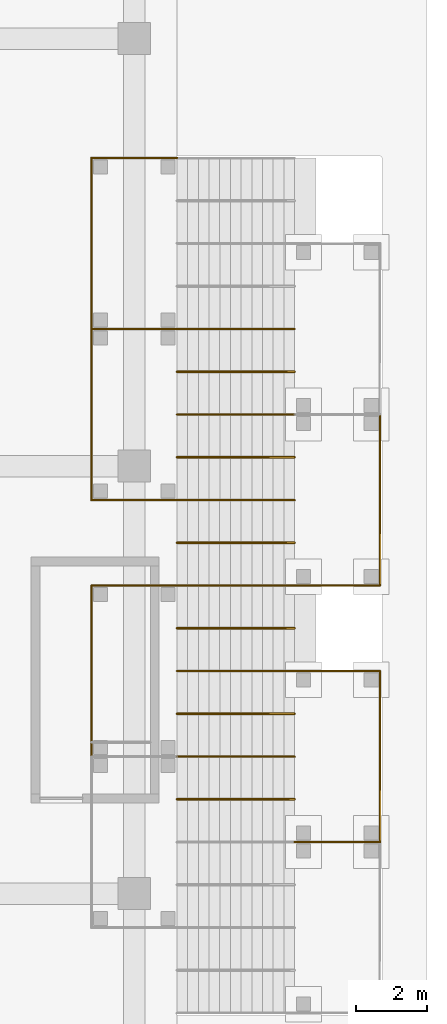
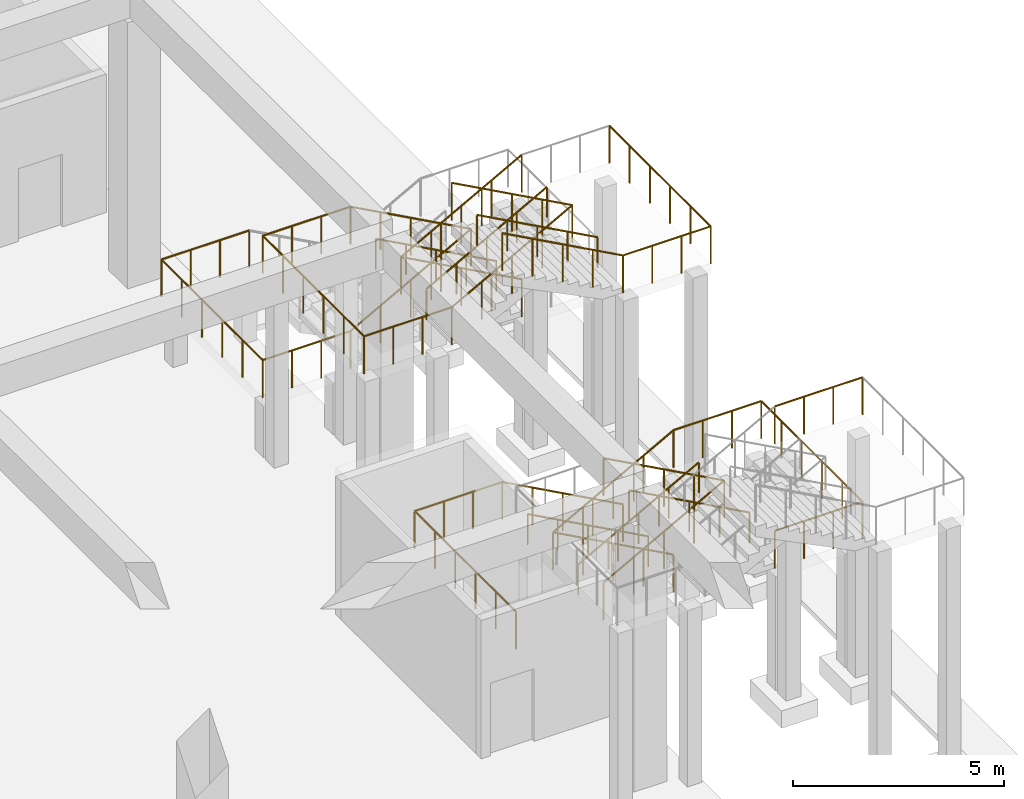
# One storey, part 35 of 43: 32 railings.
"""IFC4 building model written with IfcOpenShell, lengths in metres."""

from ifc_helpers import new_model, si_unit, direction, frame, origin, origin_2d, place, context, subcontext, project, spatial, circle, extrude, material, type_object, element, save


model = new_model("IFC4")

# Units and contexts
model_context = context("Model", 3, precision=1e-05, world=origin(), true_north=direction((0.0, 1.0)))
body_context = subcontext(model_context, "Body", "Model", "MODEL_VIEW")
ifc_project = project(units=[si_unit("LENGTHUNIT", "METRE"), si_unit("AREAUNIT", "SQUARE_METRE"), si_unit("VOLUMEUNIT", "CUBIC_METRE"), si_unit("PLANEANGLEUNIT", "RADIAN"), si_unit("MASSUNIT", "GRAM", prefix="KILO")], contexts=[model_context])

# Site, building, storey
site_placement = place(None, origin())
site = spatial("IfcSite", under=ifc_project, at=site_placement, CompositionType="ELEMENT")
building_placement = place(site_placement, origin())
building = spatial("IfcBuilding", under=site, at=building_placement, Name="Kilnfold Tower and Market Hall", CompositionType="ELEMENT")
storey_placement = place(building_placement, origin())
storey = spatial("IfcBuildingStorey", under=building, at=storey_placement, Name="L00", CompositionType="ELEMENT", Elevation=0.0)

# Railings
ifc_material_1 = material(Name="Stainless steel 316", Category="steel")
railing_type_1 = type_object("IfcRailingType", Name="DECK GUARD 1100", PredefinedType="GUARDRAIL", material=ifc_material_1)
railing_1_placement = place(storey_placement, frame((55.85009765625, -14.800048828125, 5.39990234375)))
element("IfcRailing", 1, at=railing_1_placement, inside=storey, type_object=railing_type_1, Name="Garden stair GS-E1 guard 5", PredefinedType="GUARDRAIL", context=body_context, shape_type="SweptSolid", body=[
    extrude(circle(Radius=0.02392578125, at=origin_2d()), frame((0.0, 0.0, 1.076171875), z_axis=(0.877905501855, 0.0, -0.478833927173), x_axis=(0.0, 1.0, 0.0)), (0.0, 0.0, 1.0), 3.7587890625),
    extrude(circle(Radius=0.02099609375, at=origin_2d()), origin(), (0.0, 0.0, 1.0), 1.052001953125),
    extrude(circle(Radius=0.02099609375, at=origin_2d()), frame((0.824951171875, 0.0, -0.449951171875)), (0.0, 0.0, 1.0), 1.052001953125),
    extrude(circle(Radius=0.02099609375, at=origin_2d()), frame((1.64990234375, 0.0, -0.89990234375)), (0.0, 0.0, 1.0), 1.052001953125),
    extrude(circle(Radius=0.02099609375, at=origin_2d()), frame((2.474853515625, 0.0, -1.349853515625)), (0.0, 0.0, 1.0), 1.052001953125),
    extrude(circle(Radius=0.02099609375, at=origin_2d()), frame((3.2998046875, 0.0, -1.7998046875)), (0.0, 0.0, 1.0), 1.052001953125),
])
railing_2_placement = place(storey_placement, frame((55.85009765625, -12.39990234375, 1.800048828125)))
element("IfcRailing", 2, at=railing_2_placement, inside=storey, type_object=railing_type_1, Name="Garden stair GS-E1 guard 7", PredefinedType="GUARDRAIL", context=body_context, shape_type="SweptSolid", body=[
    extrude(circle(Radius=0.02392578125, at=origin_2d()), frame((0.0, 0.0, 1.076171875), z_axis=(0.8778781969, 0.0, 0.478883985332), x_axis=(0.0, 1.0, 0.0)), (0.0, 0.0, 1.0), 3.7587890625),
    extrude(circle(Radius=0.02099609375, at=origin_2d()), origin(), (0.0, 0.0, 1.0), 1.052001953125),
    extrude(circle(Radius=0.02099609375, at=origin_2d()), frame((0.824951171875, 0.0, 0.449951171875)), (0.0, 0.0, 1.0), 1.052001953125),
    extrude(circle(Radius=0.02099609375, at=origin_2d()), frame((1.64990234375, 0.0, 0.89990234375)), (0.0, 0.0, 1.0), 1.052001953125),
    extrude(circle(Radius=0.02099609375, at=origin_2d()), frame((2.474853515625, 0.0, 1.35009765625)), (0.0, 0.0, 1.0), 1.052001953125),
    extrude(circle(Radius=0.02099609375, at=origin_2d()), frame((3.2998046875, 0.0, 1.800048828125)), (0.0, 0.0, 1.0), 1.052001953125),
])
railing_3_placement = place(storey_placement, frame((59.14990234375, -14.800048828125, 3.60009765625)))
element("IfcRailing", 3, at=railing_3_placement, inside=storey, type_object=railing_type_1, Name="Garden stair GS-E1 guard 8", PredefinedType="GUARDRAIL", context=body_context, shape_type="SweptSolid", body=[
    extrude(circle(Radius=0.02392578125, at=origin_2d()), frame((0.0, 0.0, 1.076171875), z_axis=(-0.8778781969, 0.0, -0.478883985332), x_axis=(0.0, -1.0, 0.0)), (0.0, 0.0, 1.0), 3.7587890625),
    extrude(circle(Radius=0.02099609375, at=origin_2d()), origin(), (0.0, 0.0, 1.0), 1.052001953125),
    extrude(circle(Radius=0.02099609375, at=origin_2d()), frame((-0.824951171875, 0.0, -0.449951171875)), (0.0, 0.0, 1.0), 1.052001953125),
    extrude(circle(Radius=0.02099609375, at=origin_2d()), frame((-1.64990234375, 0.0, -0.89990234375)), (0.0, 0.0, 1.0), 1.052001953125),
    extrude(circle(Radius=0.02099609375, at=origin_2d()), frame((-2.474853515625, 0.0, -1.35009765625)), (0.0, 0.0, 1.0), 1.052001953125),
    extrude(circle(Radius=0.02099609375, at=origin_2d()), frame((-3.2998046875, 0.0, -1.800048828125)), (0.0, 0.0, 1.0), 1.052001953125),
])
railing_4_placement = place(storey_placement, frame((55.85009765625, -10.0, 1.800048828125)))
element("IfcRailing", 4, at=railing_4_placement, inside=storey, type_object=railing_type_1, Name="Garden stair GS-E1 guard 9", PredefinedType="GUARDRAIL", context=body_context, shape_type="SweptSolid", body=[
    extrude(circle(Radius=0.02392578125, at=origin_2d()), frame((0.0, 0.0, 1.076171875), z_axis=(0.8778781969, 0.0, -0.478883985332), x_axis=(0.0, 1.0, 0.0)), (0.0, 0.0, 1.0), 3.7587890625),
    extrude(circle(Radius=0.02099609375, at=origin_2d()), origin(), (0.0, 0.0, 1.0), 1.052001953125),
    extrude(circle(Radius=0.02099609375, at=origin_2d()), frame((0.824951171875, 0.0, -0.449951171875)), (0.0, 0.0, 1.0), 1.052001953125),
    extrude(circle(Radius=0.02099609375, at=origin_2d()), frame((1.64990234375, 0.0, -0.89990234375)), (0.0, 0.0, 1.0), 1.052001953125),
    extrude(circle(Radius=0.02099609375, at=origin_2d()), frame((2.474853515625, 0.0, -1.35009765625)), (0.0, 0.0, 1.0), 1.052001953125),
    extrude(circle(Radius=0.02099609375, at=origin_2d()), frame((3.2998046875, 0.0, -1.800048828125)), (0.0, 0.0, 1.0), 1.052001953125),
])
railing_5_placement = place(storey_placement, frame((59.14990234375, -12.39990234375, 0.0)))
element("IfcRailing", 5, at=railing_5_placement, inside=storey, type_object=railing_type_1, Name="Garden stair GS-E1 guard 10", PredefinedType="GUARDRAIL", context=body_context, shape_type="SweptSolid", body=[
    extrude(circle(Radius=0.02392578125, at=origin_2d()), frame((0.0, 0.0, 1.076171875), z_axis=(-0.8778781969, 0.0, 0.478883985332), x_axis=(0.0, -1.0, 0.0)), (0.0, 0.0, 1.0), 3.7587890625),
    extrude(circle(Radius=0.02099609375, at=origin_2d()), origin(), (0.0, 0.0, 1.0), 1.052001953125),
    extrude(circle(Radius=0.02099609375, at=origin_2d()), frame((-0.824951171875, 0.0, 0.449951171875)), (0.0, 0.0, 1.0), 1.052001953125),
    extrude(circle(Radius=0.02099609375, at=origin_2d()), frame((-1.64990234375, 0.0, 0.89990234375)), (0.0, 0.0, 1.0), 1.052001953125),
    extrude(circle(Radius=0.02099609375, at=origin_2d()), frame((-2.474853515625, 0.0, 1.35009765625)), (0.0, 0.0, 1.0), 1.052001953125),
    extrude(circle(Radius=0.02099609375, at=origin_2d()), frame((-3.2998046875, 0.0, 1.800048828125)), (0.0, 0.0, 1.0), 1.052001953125),
])
for number, where, name in (
    (6, (59.14990234375, -17.199951171875, 7.199951171875), "Garden stair GS-E1 guard 11"),
    (7, (59.14990234375, -12.39990234375, 3.60009765625), "Garden stair GS-E1 guard 17"),
):
    element("IfcRailing", number, at=place(storey_placement, frame(where)), inside=storey, type_object=railing_type_1, Name=name, PredefinedType="GUARDRAIL", context=body_context, shape_type="SweptSolid", body=[
        extrude(circle(Radius=0.02392578125, at=origin_2d()), frame((0.0, 0.0, 1.076171875), z_axis=(1.0, 0.0, 0.0), x_axis=(0.0, 1.0, 0.0)), (0.0, 0.0, 1.0), 2.400146484375),
        extrude(circle(Radius=0.02099609375, at=origin_2d()), origin(), (0.0, 0.0, 1.0), 1.052001953125),
        extrude(circle(Radius=0.02099609375, at=origin_2d()), frame((0.800048828125, 0.0, 0.0)), (0.0, 0.0, 1.0), 1.052001953125),
        extrude(circle(Radius=0.02099609375, at=origin_2d()), frame((1.60009765625, 0.0, 0.0)), (0.0, 0.0, 1.0), 1.052001953125),
        extrude(circle(Radius=0.02099609375, at=origin_2d()), frame((2.400146484375, 0.0, 0.0)), (0.0, 0.0, 1.0), 1.052001953125),
    ])
railing_6_placement = place(storey_placement, frame((61.550048828125, -12.39990234375, 3.60009765625)))
element("IfcRailing", 8, at=railing_6_placement, inside=storey, type_object=railing_type_1, Name="Garden stair GS-E1 guard 18", PredefinedType="GUARDRAIL", context=body_context, shape_type="SweptSolid", body=[
    extrude(circle(Radius=0.02392578125, at=origin_2d()), frame((0.0, 0.0, 1.076171875), z_axis=(0.0, -1.0, 0.0), x_axis=(1.0, 0.0, 0.0)), (0.0, 0.0, 1.0), 4.800048828125),
    extrude(circle(Radius=0.02099609375, at=origin_2d()), origin(), (0.0, 0.0, 1.0), 1.052001953125),
    extrude(circle(Radius=0.02099609375, at=origin_2d()), frame((0.0, -0.9599609375, 0.0)), (0.0, 0.0, 1.0), 1.052001953125),
    extrude(circle(Radius=0.02099609375, at=origin_2d()), frame((0.0, -1.919921875, 0.0)), (0.0, 0.0, 1.0), 1.052001953125),
    extrude(circle(Radius=0.02099609375, at=origin_2d()), frame((0.0, -2.880126953125, 0.0)), (0.0, 0.0, 1.0), 1.052001953125),
    extrude(circle(Radius=0.02099609375, at=origin_2d()), frame((0.0, -3.840087890625, 0.0)), (0.0, 0.0, 1.0), 1.052001953125),
    extrude(circle(Radius=0.02099609375, at=origin_2d()), frame((0.0, -4.800048828125, 0.0)), (0.0, 0.0, 1.0), 1.052001953125),
])
railing_7_placement = place(storey_placement, frame((61.550048828125, -17.199951171875, 3.60009765625)))
element("IfcRailing", 9, at=railing_7_placement, inside=storey, type_object=railing_type_1, Name="Garden stair GS-E1 guard 19", PredefinedType="GUARDRAIL", context=body_context, shape_type="SweptSolid", body=[
    extrude(circle(Radius=0.02392578125, at=origin_2d()), frame((0.0, 0.0, 1.076171875), z_axis=(-1.0, 0.0, 0.0), x_axis=(0.0, -1.0, 0.0)), (0.0, 0.0, 1.0), 2.400146484375),
    extrude(circle(Radius=0.02099609375, at=origin_2d()), origin(), (0.0, 0.0, 1.0), 1.052001953125),
    extrude(circle(Radius=0.02099609375, at=origin_2d()), frame((-0.800048828125, 0.0, 0.0)), (0.0, 0.0, 1.0), 1.052001953125),
    extrude(circle(Radius=0.02099609375, at=origin_2d()), frame((-1.60009765625, 0.0, 0.0)), (0.0, 0.0, 1.0), 1.052001953125),
    extrude(circle(Radius=0.02099609375, at=origin_2d()), frame((-2.400146484375, 0.0, 0.0)), (0.0, 0.0, 1.0), 1.052001953125),
])
railing_8_placement = place(storey_placement, frame((53.449951171875, -14.800048828125, 1.800048828125)))
element("IfcRailing", 10, at=railing_8_placement, inside=storey, type_object=railing_type_1, Name="Garden stair GS-E1 guard 20", PredefinedType="GUARDRAIL", context=body_context, shape_type="SweptSolid", body=[
    extrude(circle(Radius=0.02392578125, at=origin_2d()), frame((0.0, 0.0, 1.076171875), z_axis=(0.0, 1.0, 0.0), x_axis=(-1.0, 0.0, 0.0)), (0.0, 0.0, 1.0), 4.800048828125),
    extrude(circle(Radius=0.02099609375, at=origin_2d()), origin(), (0.0, 0.0, 1.0), 1.052001953125),
    extrude(circle(Radius=0.02099609375, at=origin_2d()), frame((0.0, 0.9599609375, 0.0)), (0.0, 0.0, 1.0), 1.052001953125),
    extrude(circle(Radius=0.02099609375, at=origin_2d()), frame((0.0, 1.919921875, 0.0)), (0.0, 0.0, 1.0), 1.052001953125),
    extrude(circle(Radius=0.02099609375, at=origin_2d()), frame((0.0, 2.880126953125, 0.0)), (0.0, 0.0, 1.0), 1.052001953125),
    extrude(circle(Radius=0.02099609375, at=origin_2d()), frame((0.0, 3.840087890625, 0.0)), (0.0, 0.0, 1.0), 1.052001953125),
    extrude(circle(Radius=0.02099609375, at=origin_2d()), frame((0.0, 4.800048828125, 0.0)), (0.0, 0.0, 1.0), 1.052001953125),
])
railing_9_placement = place(storey_placement, frame((53.449951171875, -10.0, 1.800048828125)))
element("IfcRailing", 11, at=railing_9_placement, inside=storey, type_object=railing_type_1, Name="Garden stair GS-E1 guard 21", PredefinedType="GUARDRAIL", context=body_context, shape_type="SweptSolid", body=[
    extrude(circle(Radius=0.02392578125, at=origin_2d()), frame((0.0, 0.0, 1.076171875), z_axis=(1.0, 0.0, 0.0), x_axis=(0.0, 1.0, 0.0)), (0.0, 0.0, 1.0), 2.400146484375),
    extrude(circle(Radius=0.02099609375, at=origin_2d()), origin(), (0.0, 0.0, 1.0), 1.052001953125),
    extrude(circle(Radius=0.02099609375, at=origin_2d()), frame((0.800048828125, 0.0, 0.0)), (0.0, 0.0, 1.0), 1.052001953125),
    extrude(circle(Radius=0.02099609375, at=origin_2d()), frame((1.60009765625, 0.0, 0.0)), (0.0, 0.0, 1.0), 1.052001953125),
    extrude(circle(Radius=0.02099609375, at=origin_2d()), frame((2.400146484375, 0.0, 0.0)), (0.0, 0.0, 1.0), 1.052001953125),
])
railing_10_placement = place(storey_placement, frame((55.85009765625, -7.60009765625, 9.0)))
element("IfcRailing", 12, at=railing_10_placement, inside=storey, type_object=railing_type_1, Name="Garden stair GS-E2 guard 1", PredefinedType="GUARDRAIL", context=body_context, shape_type="SweptSolid", body=[
    extrude(circle(Radius=0.02392578125, at=origin_2d()), frame((0.0, 0.0, 1.076171875), z_axis=(0.8778781969, 0.0, -0.478883985332), x_axis=(0.0, 1.0, 0.0)), (0.0, 0.0, 1.0), 3.7587890625),
    extrude(circle(Radius=0.02099609375, at=origin_2d()), origin(), (0.0, 0.0, 1.0), 1.052001953125),
    extrude(circle(Radius=0.02099609375, at=origin_2d()), frame((0.824951171875, 0.0, -0.449951171875)), (0.0, 0.0, 1.0), 1.052001953125),
    extrude(circle(Radius=0.02099609375, at=origin_2d()), frame((1.64990234375, 0.0, -0.89990234375)), (0.0, 0.0, 1.0), 1.052001953125),
    extrude(circle(Radius=0.02099609375, at=origin_2d()), frame((2.474853515625, 0.0, -1.35009765625)), (0.0, 0.0, 1.0), 1.052001953125),
    extrude(circle(Radius=0.02099609375, at=origin_2d()), frame((3.2998046875, 0.0, -1.800048828125)), (0.0, 0.0, 1.0), 1.052001953125),
])
railing_11_placement = place(storey_placement, frame((59.14990234375, -10.0, 7.199951171875)))
element("IfcRailing", 13, at=railing_11_placement, inside=storey, type_object=railing_type_1, Name="Garden stair GS-E2 guard 2", PredefinedType="GUARDRAIL", context=body_context, shape_type="SweptSolid", body=[
    extrude(circle(Radius=0.02392578125, at=origin_2d()), frame((0.0, 0.0, 1.076171875), z_axis=(-0.8778781969, 0.0, 0.478883985332), x_axis=(0.0, -1.0, 0.0)), (0.0, 0.0, 1.0), 3.7587890625),
    extrude(circle(Radius=0.02099609375, at=origin_2d()), origin(), (0.0, 0.0, 1.0), 1.052001953125),
    extrude(circle(Radius=0.02099609375, at=origin_2d()), frame((-0.824951171875, 0.0, 0.449951171875)), (0.0, 0.0, 1.0), 1.052001953125),
    extrude(circle(Radius=0.02099609375, at=origin_2d()), frame((-1.64990234375, 0.0, 0.89990234375)), (0.0, 0.0, 1.0), 1.052001953125),
    extrude(circle(Radius=0.02099609375, at=origin_2d()), frame((-2.474853515625, 0.0, 1.35009765625)), (0.0, 0.0, 1.0), 1.052001953125),
    extrude(circle(Radius=0.02099609375, at=origin_2d()), frame((-3.2998046875, 0.0, 1.800048828125)), (0.0, 0.0, 1.0), 1.052001953125),
])
railing_12_placement = place(storey_placement, frame((55.85009765625, -5.199951171875, 5.39990234375)))
element("IfcRailing", 14, at=railing_12_placement, inside=storey, type_object=railing_type_1, Name="Garden stair GS-E2 guard 3", PredefinedType="GUARDRAIL", context=body_context, shape_type="SweptSolid", body=[
    extrude(circle(Radius=0.02392578125, at=origin_2d()), frame((0.0, 0.0, 1.076171875), z_axis=(0.8778781969, 0.0, 0.478883985332), x_axis=(0.0, 1.0, 0.0)), (0.0, 0.0, 1.0), 3.7587890625),
    extrude(circle(Radius=0.02099609375, at=origin_2d()), origin(), (0.0, 0.0, 1.0), 1.052001953125),
    extrude(circle(Radius=0.02099609375, at=origin_2d()), frame((0.824951171875, 0.0, 0.449951171875)), (0.0, 0.0, 1.0), 1.052001953125),
    extrude(circle(Radius=0.02099609375, at=origin_2d()), frame((1.64990234375, 0.0, 0.89990234375)), (0.0, 0.0, 1.0), 1.052001953125),
    extrude(circle(Radius=0.02099609375, at=origin_2d()), frame((2.474853515625, 0.0, 1.35009765625)), (0.0, 0.0, 1.0), 1.052001953125),
    extrude(circle(Radius=0.02099609375, at=origin_2d()), frame((3.2998046875, 0.0, 1.800048828125)), (0.0, 0.0, 1.0), 1.052001953125),
])
railing_13_placement = place(storey_placement, frame((59.14990234375, -7.60009765625, 7.199951171875)))
element("IfcRailing", 15, at=railing_13_placement, inside=storey, type_object=railing_type_1, Name="Garden stair GS-E2 guard 4", PredefinedType="GUARDRAIL", context=body_context, shape_type="SweptSolid", body=[
    extrude(circle(Radius=0.02392578125, at=origin_2d()), frame((0.0, 0.0, 1.076171875), z_axis=(-0.8778781969, 0.0, -0.478883985332), x_axis=(0.0, -1.0, 0.0)), (0.0, 0.0, 1.0), 3.7587890625),
    extrude(circle(Radius=0.02099609375, at=origin_2d()), origin(), (0.0, 0.0, 1.0), 1.052001953125),
    extrude(circle(Radius=0.02099609375, at=origin_2d()), frame((-0.824951171875, 0.0, -0.449951171875)), (0.0, 0.0, 1.0), 1.052001953125),
    extrude(circle(Radius=0.02099609375, at=origin_2d()), frame((-1.64990234375, 0.0, -0.89990234375)), (0.0, 0.0, 1.0), 1.052001953125),
    extrude(circle(Radius=0.02099609375, at=origin_2d()), frame((-2.474853515625, 0.0, -1.35009765625)), (0.0, 0.0, 1.0), 1.052001953125),
    extrude(circle(Radius=0.02099609375, at=origin_2d()), frame((-3.2998046875, 0.0, -1.800048828125)), (0.0, 0.0, 1.0), 1.052001953125),
])
railing_14_placement = place(storey_placement, frame((55.85009765625, -2.800048828125, 5.39990234375)))
element("IfcRailing", 16, at=railing_14_placement, inside=storey, type_object=railing_type_1, Name="Garden stair GS-E2 guard 5", PredefinedType="GUARDRAIL", context=body_context, shape_type="SweptSolid", body=[
    extrude(circle(Radius=0.02392578125, at=origin_2d()), frame((0.0, 0.0, 1.076171875), z_axis=(0.877905501855, 0.0, -0.478833927173), x_axis=(0.0, 1.0, 0.0)), (0.0, 0.0, 1.0), 3.7587890625),
    extrude(circle(Radius=0.02099609375, at=origin_2d()), origin(), (0.0, 0.0, 1.0), 1.052001953125),
    extrude(circle(Radius=0.02099609375, at=origin_2d()), frame((0.824951171875, 0.0, -0.449951171875)), (0.0, 0.0, 1.0), 1.052001953125),
    extrude(circle(Radius=0.02099609375, at=origin_2d()), frame((1.64990234375, 0.0, -0.89990234375)), (0.0, 0.0, 1.0), 1.052001953125),
    extrude(circle(Radius=0.02099609375, at=origin_2d()), frame((2.474853515625, 0.0, -1.349853515625)), (0.0, 0.0, 1.0), 1.052001953125),
    extrude(circle(Radius=0.02099609375, at=origin_2d()), frame((3.2998046875, 0.0, -1.7998046875)), (0.0, 0.0, 1.0), 1.052001953125),
])
railing_15_placement = place(storey_placement, frame((59.14990234375, -5.199951171875, 3.60009765625)))
element("IfcRailing", 17, at=railing_15_placement, inside=storey, type_object=railing_type_1, Name="Garden stair GS-E2 guard 6", PredefinedType="GUARDRAIL", context=body_context, shape_type="SweptSolid", body=[
    extrude(circle(Radius=0.02392578125, at=origin_2d()), frame((0.0, 0.0, 1.076171875), z_axis=(-0.877905501855, 0.0, 0.478833927173), x_axis=(0.0, -1.0, 0.0)), (0.0, 0.0, 1.0), 3.7587890625),
    extrude(circle(Radius=0.02099609375, at=origin_2d()), origin(), (0.0, 0.0, 1.0), 1.052001953125),
    extrude(circle(Radius=0.02099609375, at=origin_2d()), frame((-0.824951171875, 0.0, 0.449951171875)), (0.0, 0.0, 1.0), 1.052001953125),
    extrude(circle(Radius=0.02099609375, at=origin_2d()), frame((-1.64990234375, 0.0, 0.89990234375)), (0.0, 0.0, 1.0), 1.052001953125),
    extrude(circle(Radius=0.02099609375, at=origin_2d()), frame((-2.474853515625, 0.0, 1.349853515625)), (0.0, 0.0, 1.0), 1.052001953125),
    extrude(circle(Radius=0.02099609375, at=origin_2d()), frame((-3.2998046875, 0.0, 1.7998046875)), (0.0, 0.0, 1.0), 1.052001953125),
])
railing_16_placement = place(storey_placement, frame((59.14990234375, -2.800048828125, 3.60009765625)))
element("IfcRailing", 18, at=railing_16_placement, inside=storey, type_object=railing_type_1, Name="Garden stair GS-E2 guard 8", PredefinedType="GUARDRAIL", context=body_context, shape_type="SweptSolid", body=[
    extrude(circle(Radius=0.02392578125, at=origin_2d()), frame((0.0, 0.0, 1.076171875), z_axis=(-0.8778781969, 0.0, -0.478883985332), x_axis=(0.0, -1.0, 0.0)), (0.0, 0.0, 1.0), 3.7587890625),
    extrude(circle(Radius=0.02099609375, at=origin_2d()), origin(), (0.0, 0.0, 1.0), 1.052001953125),
    extrude(circle(Radius=0.02099609375, at=origin_2d()), frame((-0.824951171875, 0.0, -0.449951171875)), (0.0, 0.0, 1.0), 1.052001953125),
    extrude(circle(Radius=0.02099609375, at=origin_2d()), frame((-1.64990234375, 0.0, -0.89990234375)), (0.0, 0.0, 1.0), 1.052001953125),
    extrude(circle(Radius=0.02099609375, at=origin_2d()), frame((-2.474853515625, 0.0, -1.35009765625)), (0.0, 0.0, 1.0), 1.052001953125),
    extrude(circle(Radius=0.02099609375, at=origin_2d()), frame((-3.2998046875, 0.0, -1.800048828125)), (0.0, 0.0, 1.0), 1.052001953125),
])
railing_17_placement = place(storey_placement, frame((61.550048828125, -5.199951171875, 7.199951171875)))
element("IfcRailing", 19, at=railing_17_placement, inside=storey, type_object=railing_type_1, Name="Garden stair GS-E2 guard 12", PredefinedType="GUARDRAIL", context=body_context, shape_type="SweptSolid", body=[
    extrude(circle(Radius=0.02392578125, at=origin_2d()), frame((0.0, 0.0, 1.076171875), z_axis=(0.0, -1.0, 0.0), x_axis=(1.0, 0.0, 0.0)), (0.0, 0.0, 1.0), 4.800048828125),
    extrude(circle(Radius=0.02099609375, at=origin_2d()), origin(), (0.0, 0.0, 1.0), 1.052001953125),
    extrude(circle(Radius=0.02099609375, at=origin_2d()), frame((0.0, -0.9599609375, 0.0)), (0.0, 0.0, 1.0), 1.052001953125),
    extrude(circle(Radius=0.02099609375, at=origin_2d()), frame((0.0, -1.919921875, 0.0)), (0.0, 0.0, 1.0), 1.052001953125),
    extrude(circle(Radius=0.02099609375, at=origin_2d()), frame((0.0, -2.880126953125, 0.0)), (0.0, 0.0, 1.0), 1.052001953125),
    extrude(circle(Radius=0.02099609375, at=origin_2d()), frame((0.0, -3.840087890625, 0.0)), (0.0, 0.0, 1.0), 1.052001953125),
    extrude(circle(Radius=0.02099609375, at=origin_2d()), frame((0.0, -4.800048828125, 0.0)), (0.0, 0.0, 1.0), 1.052001953125),
])
railing_18_placement = place(storey_placement, frame((61.550048828125, -10.0, 7.199951171875)))
element("IfcRailing", 20, at=railing_18_placement, inside=storey, type_object=railing_type_1, Name="Garden stair GS-E2 guard 13", PredefinedType="GUARDRAIL", context=body_context, shape_type="SweptSolid", body=[
    extrude(circle(Radius=0.02392578125, at=origin_2d()), frame((0.0, 0.0, 1.076171875), z_axis=(-1.0, 0.0, 0.0), x_axis=(0.0, -1.0, 0.0)), (0.0, 0.0, 1.0), 2.400146484375),
    extrude(circle(Radius=0.02099609375, at=origin_2d()), origin(), (0.0, 0.0, 1.0), 1.052001953125),
    extrude(circle(Radius=0.02099609375, at=origin_2d()), frame((-0.800048828125, 0.0, 0.0)), (0.0, 0.0, 1.0), 1.052001953125),
    extrude(circle(Radius=0.02099609375, at=origin_2d()), frame((-1.60009765625, 0.0, 0.0)), (0.0, 0.0, 1.0), 1.052001953125),
    extrude(circle(Radius=0.02099609375, at=origin_2d()), frame((-2.400146484375, 0.0, 0.0)), (0.0, 0.0, 1.0), 1.052001953125),
])
railing_19_placement = place(storey_placement, frame((53.449951171875, -7.60009765625, 5.39990234375)))
element("IfcRailing", 21, at=railing_19_placement, inside=storey, type_object=railing_type_1, Name="Garden stair GS-E2 guard 14", PredefinedType="GUARDRAIL", context=body_context, shape_type="SweptSolid", body=[
    extrude(circle(Radius=0.02392578125, at=origin_2d()), frame((0.0, 0.0, 1.076171875), z_axis=(0.0, 1.0, 0.0), x_axis=(-1.0, 0.0, 0.0)), (0.0, 0.0, 1.0), 4.800048828125),
    extrude(circle(Radius=0.02099609375, at=origin_2d()), origin(), (0.0, 0.0, 1.0), 1.052001953125),
    extrude(circle(Radius=0.02099609375, at=origin_2d()), frame((0.0, 0.9599609375, 0.0)), (0.0, 0.0, 1.0), 1.052001953125),
    extrude(circle(Radius=0.02099609375, at=origin_2d()), frame((0.0, 1.919921875, 0.0)), (0.0, 0.0, 1.0), 1.052001953125),
    extrude(circle(Radius=0.02099609375, at=origin_2d()), frame((0.0, 2.880126953125, 0.0)), (0.0, 0.0, 1.0), 1.052001953125),
    extrude(circle(Radius=0.02099609375, at=origin_2d()), frame((0.0, 3.840087890625, 0.0)), (0.0, 0.0, 1.0), 1.052001953125),
    extrude(circle(Radius=0.02099609375, at=origin_2d()), frame((0.0, 4.800048828125, 0.0)), (0.0, 0.0, 1.0), 1.052001953125),
])
railing_20_placement = place(storey_placement, frame((53.449951171875, -2.800048828125, 5.39990234375)))
element("IfcRailing", 22, at=railing_20_placement, inside=storey, type_object=railing_type_1, Name="Garden stair GS-E2 guard 15", PredefinedType="GUARDRAIL", context=body_context, shape_type="SweptSolid", body=[
    extrude(circle(Radius=0.02392578125, at=origin_2d()), frame((0.0, 0.0, 1.076171875), z_axis=(1.0, 0.0, 0.0), x_axis=(0.0, 1.0, 0.0)), (0.0, 0.0, 1.0), 2.400146484375),
    extrude(circle(Radius=0.02099609375, at=origin_2d()), origin(), (0.0, 0.0, 1.0), 1.052001953125),
    extrude(circle(Radius=0.02099609375, at=origin_2d()), frame((0.800048828125, 0.0, 0.0)), (0.0, 0.0, 1.0), 1.052001953125),
    extrude(circle(Radius=0.02099609375, at=origin_2d()), frame((1.60009765625, 0.0, 0.0)), (0.0, 0.0, 1.0), 1.052001953125),
    extrude(circle(Radius=0.02099609375, at=origin_2d()), frame((2.400146484375, 0.0, 0.0)), (0.0, 0.0, 1.0), 1.052001953125),
])
railing_21_placement = place(storey_placement, frame((55.85009765625, -7.60009765625, 5.39990234375)))
element("IfcRailing", 23, at=railing_21_placement, inside=storey, type_object=railing_type_1, Name="Garden stair GS-E2 guard 16", PredefinedType="GUARDRAIL", context=body_context, shape_type="SweptSolid", body=[
    extrude(circle(Radius=0.02392578125, at=origin_2d()), frame((0.0, 0.0, 1.076171875), z_axis=(-1.0, 0.0, 0.0), x_axis=(0.0, -1.0, 0.0)), (0.0, 0.0, 1.0), 2.400146484375),
    extrude(circle(Radius=0.02099609375, at=origin_2d()), origin(), (0.0, 0.0, 1.0), 1.052001953125),
    extrude(circle(Radius=0.02099609375, at=origin_2d()), frame((-0.800048828125, 0.0, 0.0)), (0.0, 0.0, 1.0), 1.052001953125),
    extrude(circle(Radius=0.02099609375, at=origin_2d()), frame((-1.60009765625, 0.0, 0.0)), (0.0, 0.0, 1.0), 1.052001953125),
    extrude(circle(Radius=0.02099609375, at=origin_2d()), frame((-2.400146484375, 0.0, 0.0)), (0.0, 0.0, 1.0), 1.052001953125),
])
railing_22_placement = place(storey_placement, frame((53.449951171875, -2.800048828125, 1.800048828125)))
element("IfcRailing", 24, at=railing_22_placement, inside=storey, type_object=railing_type_1, Name="Garden stair GS-E2 guard 20", PredefinedType="GUARDRAIL", context=body_context, shape_type="SweptSolid", body=[
    extrude(circle(Radius=0.02392578125, at=origin_2d()), frame((0.0, 0.0, 1.076171875), z_axis=(0.0, 1.0, 0.0), x_axis=(-1.0, 0.0, 0.0)), (0.0, 0.0, 1.0), 4.800048828125),
    extrude(circle(Radius=0.02099609375, at=origin_2d()), origin(), (0.0, 0.0, 1.0), 1.052001953125),
    extrude(circle(Radius=0.02099609375, at=origin_2d()), frame((0.0, 0.9599609375, 0.0)), (0.0, 0.0, 1.0), 1.052001953125),
    extrude(circle(Radius=0.02099609375, at=origin_2d()), frame((0.0, 1.919921875, 0.0)), (0.0, 0.0, 1.0), 1.052001953125),
    extrude(circle(Radius=0.02099609375, at=origin_2d()), frame((0.0, 2.880126953125, 0.0)), (0.0, 0.0, 1.0), 1.052001953125),
    extrude(circle(Radius=0.02099609375, at=origin_2d()), frame((0.0, 3.840087890625, 0.0)), (0.0, 0.0, 1.0), 1.052001953125),
    extrude(circle(Radius=0.02099609375, at=origin_2d()), frame((0.0, 4.800048828125, 0.0)), (0.0, 0.0, 1.0), 1.052001953125),
])
railing_23_placement = place(storey_placement, frame((53.449951171875, 2.0, 1.800048828125)))
element("IfcRailing", 25, at=railing_23_placement, inside=storey, type_object=railing_type_1, Name="Garden stair GS-E2 guard 21", PredefinedType="GUARDRAIL", context=body_context, shape_type="SweptSolid", body=[
    extrude(circle(Radius=0.02392578125, at=origin_2d()), frame((0.0, 0.0, 1.076171875), z_axis=(1.0, 0.0, 0.0), x_axis=(0.0, 1.0, 0.0)), (0.0, 0.0, 1.0), 2.400146484375),
    extrude(circle(Radius=0.02099609375, at=origin_2d()), origin(), (0.0, 0.0, 1.0), 1.052001953125),
    extrude(circle(Radius=0.02099609375, at=origin_2d()), frame((0.800048828125, 0.0, 0.0)), (0.0, 0.0, 1.0), 1.052001953125),
    extrude(circle(Radius=0.02099609375, at=origin_2d()), frame((1.60009765625, 0.0, 0.0)), (0.0, 0.0, 1.0), 1.052001953125),
    extrude(circle(Radius=0.02099609375, at=origin_2d()), frame((2.400146484375, 0.0, 0.0)), (0.0, 0.0, 1.0), 1.052001953125),
])
railing_24_placement = place(storey_placement, frame((55.85009765625, -2.800048828125, 1.800048828125)))
element("IfcRailing", 26, at=railing_24_placement, inside=storey, type_object=railing_type_1, Name="Garden stair GS-E2 guard 22", PredefinedType="GUARDRAIL", context=body_context, shape_type="SweptSolid", body=[
    extrude(circle(Radius=0.02392578125, at=origin_2d()), frame((0.0, 0.0, 1.076171875), z_axis=(-1.0, 0.0, 0.0), x_axis=(0.0, -1.0, 0.0)), (0.0, 0.0, 1.0), 2.400146484375),
    extrude(circle(Radius=0.02099609375, at=origin_2d()), origin(), (0.0, 0.0, 1.0), 1.052001953125),
    extrude(circle(Radius=0.02099609375, at=origin_2d()), frame((-0.800048828125, 0.0, 0.0)), (0.0, 0.0, 1.0), 1.052001953125),
    extrude(circle(Radius=0.02099609375, at=origin_2d()), frame((-1.60009765625, 0.0, 0.0)), (0.0, 0.0, 1.0), 1.052001953125),
    extrude(circle(Radius=0.02099609375, at=origin_2d()), frame((-2.400146484375, 0.0, 0.0)), (0.0, 0.0, 1.0), 1.052001953125),
])
ifc_material_2 = material(Name="Stainless steel 316", Category="steel")
railing_type_2 = type_object("IfcRailingType", Name="GARDEN STAIR HANDRAIL 900", PredefinedType="HANDRAIL", material=ifc_material_2)
railing_25_placement = place(storey_placement, frame((55.85009765625, -16.0, 5.39990234375)))
element("IfcRailing", 27, at=railing_25_placement, inside=storey, type_object=railing_type_2, Name="Garden stair GS-E1 handrail 5", PredefinedType="HANDRAIL", context=body_context, shape_type="SweptSolid", body=[
    extrude(circle(Radius=0.02392578125, at=origin_2d()), frame((0.0, 0.0, 0.8759765625), z_axis=(0.877905501855, 0.0, -0.478833927173), x_axis=(0.0, 1.0, 0.0)), (0.0, 0.0, 1.0), 3.7587890625),
    extrude(circle(Radius=0.02099609375, at=origin_2d()), origin(), (0.0, 0.0, 1.0), 0.851806640625),
    extrude(circle(Radius=0.02099609375, at=origin_2d()), frame((0.824951171875, 0.0, -0.449951171875)), (0.0, 0.0, 1.0), 0.851806640625),
    extrude(circle(Radius=0.02099609375, at=origin_2d()), frame((1.64990234375, 0.0, -0.89990234375)), (0.0, 0.0, 1.0), 0.851806640625),
    extrude(circle(Radius=0.02099609375, at=origin_2d()), frame((2.474853515625, 0.0, -1.349853515625)), (0.0, 0.0, 1.0), 0.851806640625),
    extrude(circle(Radius=0.02099609375, at=origin_2d()), frame((3.2998046875, 0.0, -1.7998046875)), (0.0, 0.0, 1.0), 0.851806640625),
])
railing_26_placement = place(storey_placement, frame((55.85009765625, -13.60009765625, 1.800048828125)))
element("IfcRailing", 28, at=railing_26_placement, inside=storey, type_object=railing_type_2, Name="Garden stair GS-E1 handrail 7", PredefinedType="HANDRAIL", context=body_context, shape_type="SweptSolid", body=[
    extrude(circle(Radius=0.02392578125, at=origin_2d()), frame((0.0, 0.0, 0.8759765625), z_axis=(0.8778781969, 0.0, 0.478883985332), x_axis=(0.0, 1.0, 0.0)), (0.0, 0.0, 1.0), 3.7587890625),
    extrude(circle(Radius=0.02099609375, at=origin_2d()), origin(), (0.0, 0.0, 1.0), 0.851806640625),
    extrude(circle(Radius=0.02099609375, at=origin_2d()), frame((0.824951171875, 0.0, 0.449951171875)), (0.0, 0.0, 1.0), 0.851806640625),
    extrude(circle(Radius=0.02099609375, at=origin_2d()), frame((1.64990234375, 0.0, 0.89990234375)), (0.0, 0.0, 1.0), 0.851806640625),
    extrude(circle(Radius=0.02099609375, at=origin_2d()), frame((2.474853515625, 0.0, 1.35009765625)), (0.0, 0.0, 1.0), 0.851806640625),
    extrude(circle(Radius=0.02099609375, at=origin_2d()), frame((3.2998046875, 0.0, 1.800048828125)), (0.0, 0.0, 1.0), 0.851806640625),
])
for number, where, name in (
    (29, (55.85009765625, -11.199951171875, 1.800048828125), "Garden stair GS-E1 handrail 9"),
    (30, (55.85009765625, -8.800048828125, 9.0), "Garden stair GS-E2 handrail 1"),
):
    element("IfcRailing", number, at=place(storey_placement, frame(where)), inside=storey, type_object=railing_type_2, Name=name, PredefinedType="HANDRAIL", context=body_context, shape_type="SweptSolid", body=[
        extrude(circle(Radius=0.02392578125, at=origin_2d()), frame((0.0, 0.0, 0.8759765625), z_axis=(0.8778781969, 0.0, -0.478883985332), x_axis=(0.0, 1.0, 0.0)), (0.0, 0.0, 1.0), 3.7587890625),
        extrude(circle(Radius=0.02099609375, at=origin_2d()), origin(), (0.0, 0.0, 1.0), 0.851806640625),
        extrude(circle(Radius=0.02099609375, at=origin_2d()), frame((0.824951171875, 0.0, -0.449951171875)), (0.0, 0.0, 1.0), 0.851806640625),
        extrude(circle(Radius=0.02099609375, at=origin_2d()), frame((1.64990234375, 0.0, -0.89990234375)), (0.0, 0.0, 1.0), 0.851806640625),
        extrude(circle(Radius=0.02099609375, at=origin_2d()), frame((2.474853515625, 0.0, -1.35009765625)), (0.0, 0.0, 1.0), 0.851806640625),
        extrude(circle(Radius=0.02099609375, at=origin_2d()), frame((3.2998046875, 0.0, -1.800048828125)), (0.0, 0.0, 1.0), 0.851806640625),
    ])
railing_27_placement = place(storey_placement, frame((55.85009765625, -6.39990234375, 5.39990234375)))
element("IfcRailing", 31, at=railing_27_placement, inside=storey, type_object=railing_type_2, Name="Garden stair GS-E2 handrail 3", PredefinedType="HANDRAIL", context=body_context, shape_type="SweptSolid", body=[
    extrude(circle(Radius=0.02392578125, at=origin_2d()), frame((0.0, 0.0, 0.8759765625), z_axis=(0.8778781969, 0.0, 0.478883985332), x_axis=(0.0, 1.0, 0.0)), (0.0, 0.0, 1.0), 3.7587890625),
    extrude(circle(Radius=0.02099609375, at=origin_2d()), origin(), (0.0, 0.0, 1.0), 0.851806640625),
    extrude(circle(Radius=0.02099609375, at=origin_2d()), frame((0.824951171875, 0.0, 0.449951171875)), (0.0, 0.0, 1.0), 0.851806640625),
    extrude(circle(Radius=0.02099609375, at=origin_2d()), frame((1.64990234375, 0.0, 0.89990234375)), (0.0, 0.0, 1.0), 0.851806640625),
    extrude(circle(Radius=0.02099609375, at=origin_2d()), frame((2.474853515625, 0.0, 1.35009765625)), (0.0, 0.0, 1.0), 0.851806640625),
    extrude(circle(Radius=0.02099609375, at=origin_2d()), frame((3.2998046875, 0.0, 1.800048828125)), (0.0, 0.0, 1.0), 0.851806640625),
])
railing_28_placement = place(storey_placement, frame((55.85009765625, -4.0, 5.39990234375)))
element("IfcRailing", 32, at=railing_28_placement, inside=storey, type_object=railing_type_2, Name="Garden stair GS-E2 handrail 5", PredefinedType="HANDRAIL", context=body_context, shape_type="SweptSolid", body=[
    extrude(circle(Radius=0.02392578125, at=origin_2d()), frame((0.0, 0.0, 0.8759765625), z_axis=(0.877905501855, 0.0, -0.478833927173), x_axis=(0.0, 1.0, 0.0)), (0.0, 0.0, 1.0), 3.7587890625),
    extrude(circle(Radius=0.02099609375, at=origin_2d()), origin(), (0.0, 0.0, 1.0), 0.851806640625),
    extrude(circle(Radius=0.02099609375, at=origin_2d()), frame((0.824951171875, 0.0, -0.449951171875)), (0.0, 0.0, 1.0), 0.851806640625),
    extrude(circle(Radius=0.02099609375, at=origin_2d()), frame((1.64990234375, 0.0, -0.89990234375)), (0.0, 0.0, 1.0), 0.851806640625),
    extrude(circle(Radius=0.02099609375, at=origin_2d()), frame((2.474853515625, 0.0, -1.349853515625)), (0.0, 0.0, 1.0), 0.851806640625),
    extrude(circle(Radius=0.02099609375, at=origin_2d()), frame((3.2998046875, 0.0, -1.7998046875)), (0.0, 0.0, 1.0), 0.851806640625),
])

save(model, "model.ifc")
